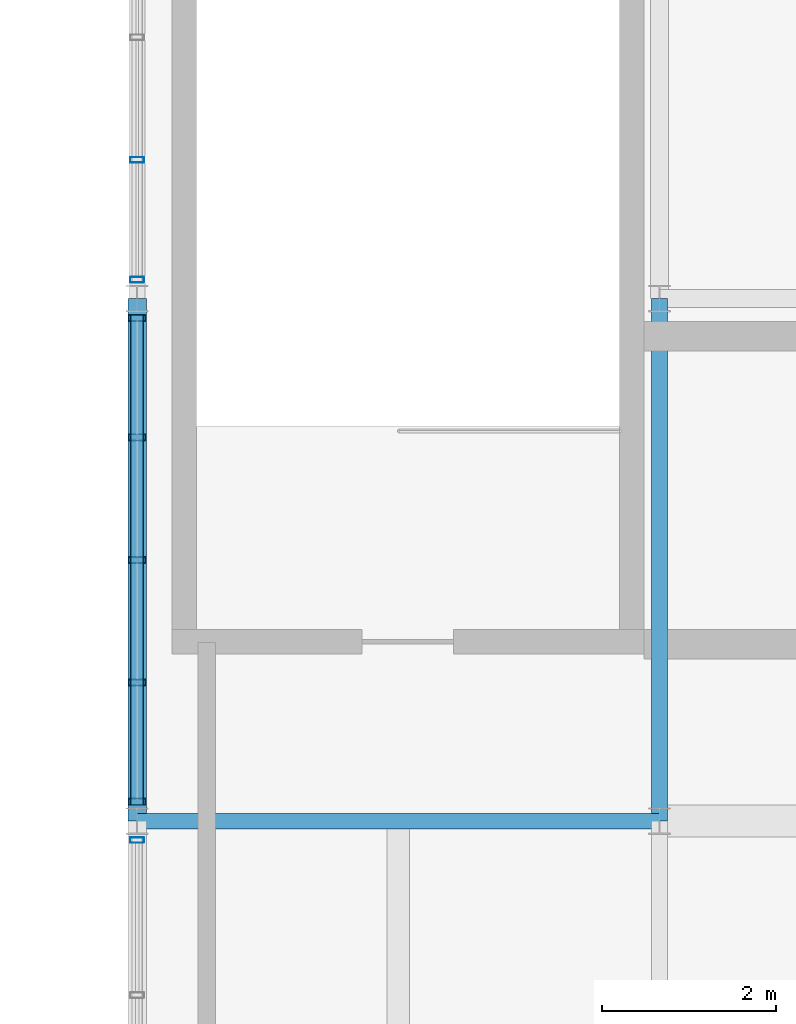
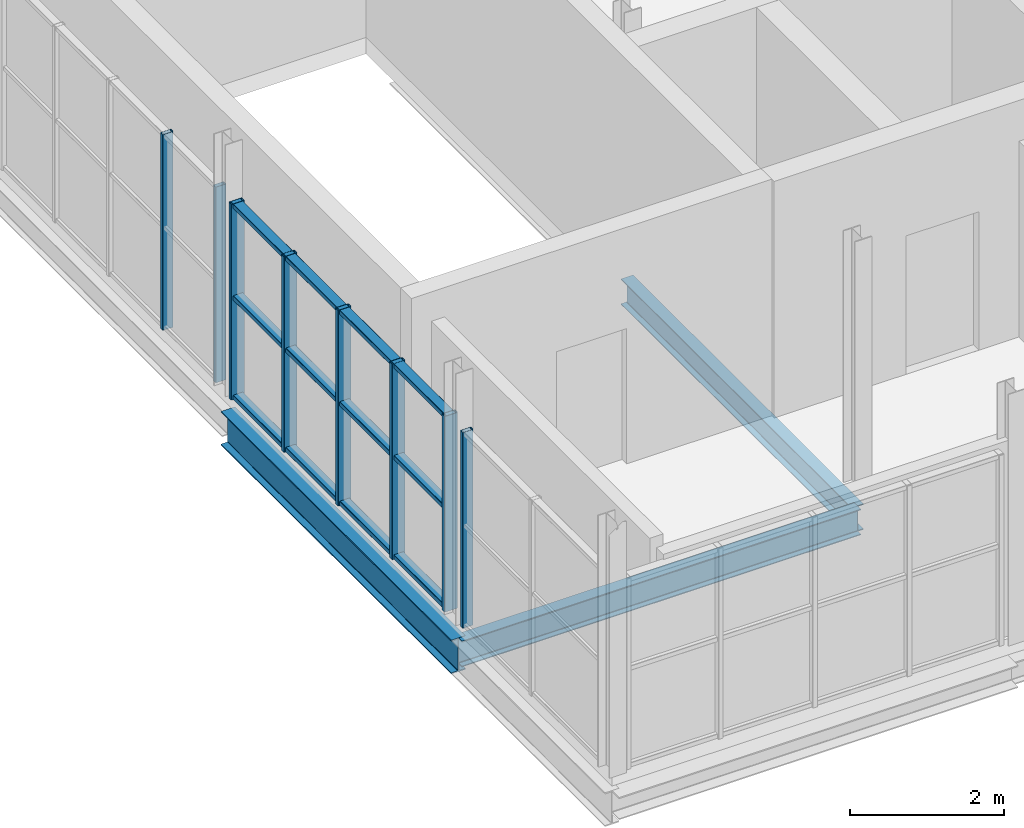
# One storey, part 61 of 96: 11 members, 3 beams, 3 elements without a shape of their own.
"""IFC4 building model written with IfcOpenShell, lengths in metres."""

from ifc_helpers import new_model, si_unit, direction, frame, origin, origin_2d, place, context, subcontext, project, spatial, hollow_rectangle, i_section, extrude, material, material_profile, profile_set, type_object, element, aggregate, save


model = new_model("IFC4")

# Units and contexts
model_context = context("Model", 3, precision=1e-05, world=origin(), true_north=direction((0.0, 1.0)))
body_context = subcontext(model_context, "Body", "Model", "MODEL_VIEW")
ifc_project = project(units=[si_unit("LENGTHUNIT", "METRE"), si_unit("AREAUNIT", "SQUARE_METRE"), si_unit("VOLUMEUNIT", "CUBIC_METRE"), si_unit("PLANEANGLEUNIT", "RADIAN"), si_unit("MASSUNIT", "GRAM", prefix="KILO")], contexts=[model_context])

# Site, building, storey
site_placement = place(None, origin())
site = spatial("IfcSite", under=ifc_project, at=site_placement, CompositionType="ELEMENT")
building_placement = place(site_placement, origin())
building = spatial("IfcBuilding", under=site, at=building_placement, Name="Verrall Gate Interchange", CompositionType="ELEMENT")
storey_placement = place(building_placement, frame((0.0, 0.0, 11.39990234375)))
storey = spatial("IfcBuildingStorey", under=building, at=storey_placement, Name="L03", CompositionType="ELEMENT", Elevation=11.39990234375)

# Beams
ifc_material_1 = material(Name="Structural Steel CSA G40.21 350W", Category="steel")
ifc_material_profile_1 = material_profile(ifc_material_1, i_section(OverallWidth=0.2109375, OverallDepth=0.5390625, WebThickness=0.01171875, FlangeThickness=0.018798828125, FilletRadius=0.013916015625, at=origin_2d()), Name="W530x109")
ifc_profile_set_1 = profile_set([ifc_material_profile_1], Name="Structural Steel CSA G40.21 350W")
beam_type_1 = type_object("IfcBeamType", Name="B-10 Structural Beam W530x109", PredefinedType="BEAM", material=ifc_profile_set_1)
beam_placement = place(storey_placement, frame((132.0, 16.0, -0.599365234375), z_axis=(0.0, 1.0, 0.0), x_axis=(-1.0, 0.0, 0.0)))
element("IfcBeam", 1, at=beam_placement, inside=storey, type_object=beam_type_1, Name="L03 Girder BM-L03-2324 (B-10)", PredefinedType="BEAM", context=body_context, shape_type="SweptSolid", body=[
    extrude(i_section(OverallWidth=0.2109375, OverallDepth=0.5390625, WebThickness=0.01171875, FlangeThickness=0.018798828125, FilletRadius=0.013916015625, at=origin_2d()), origin(), (0.0, 0.0, 1.0), 6.0),
])
ifc_material_2 = material(Name="Structural Steel CSA G40.21 350W", Category="steel")
ifc_material_profile_2 = material_profile(ifc_material_2, i_section(OverallWidth=0.178955078125, OverallDepth=0.409912109375, WebThickness=0.0087890625, FlangeThickness=0.014404296875, FilletRadius=0.011962890625, at=origin_2d()), Name="W410x67")
ifc_profile_set_2 = profile_set([ifc_material_profile_2], Name="Structural Steel CSA G40.21 350W")
beam_type_2 = type_object("IfcBeamType", Name="B-12 Structural Beam W410x67", PredefinedType="BEAM", material=ifc_profile_set_2)
for number, where, z_axis, x_axis, name in (
    (2, (132.0, 16.0, -0.534912109375), (1.0, 0.0, 0.0), (0.0, 1.0, 0.0), "L03 Girder BM-L03-2038 (B-12)"),
    (3, (138.0, 16.0, -0.534912109375), (0.0, 1.0, 0.0), (-1.0, 0.0, 0.0), "L03 Girder BM-L03-2332 (B-12)"),
):
    element("IfcBeam", number, at=place(storey_placement, frame(where, z_axis=z_axis, x_axis=x_axis)), inside=storey, type_object=beam_type_2, Name=name, PredefinedType="BEAM", context=body_context, shape_type="SweptSolid", body=[
        extrude(i_section(OverallWidth=0.178955078125, OverallDepth=0.409912109375, WebThickness=0.0087890625, FlangeThickness=0.014404296875, FilletRadius=0.011962890625, at=origin_2d()), origin(), (0.0, 0.0, 1.0), 6.0),
    ])

# Curtain wall, members
ifc_material_3 = material(Name="Thermally Broken Anodized Aluminium Curtain Wall Framing", Category="aluminium")
curtain_wall_type_1 = type_object("IfcCurtainWallType", Name="CW-36 Unitized Curtain Wall 5559x3110", PredefinedType="NOTDEFINED", material=ifc_material_3)
curtain_wall_1_placement = place(storey_placement, origin())
curtain_wall_1 = element("IfcCurtainWall", 4, at=curtain_wall_1_placement, inside=storey, type_object=curtain_wall_type_1, Name="L03 Unitized Curtain Wall CW-L03-124", PredefinedType="NOTDEFINED")
ifc_material_4 = material(Name="Thermally Broken Anodized Aluminium Curtain Wall Framing", Category="aluminium")
ifc_material_profile_3 = material_profile(ifc_material_4, hollow_rectangle(XDim=0.06494140625, YDim=0.159912109375, WallThickness=0.00390625, InnerFilletRadius=0.00390625, OuterFilletRadius=0.008056640625, at=origin_2d()), Name="CWM160x65x4")
ifc_profile_set_3 = profile_set([ifc_material_profile_3], Name="Thermally Broken Anodized Aluminium Curtain Wall Framing")
member_type_1 = type_object("IfcMemberType", Name="CM-01 Curtain Mullion CWM160x65x4", PredefinedType="MULLION", material=ifc_profile_set_3)
member_1_placement = place(storey_placement, frame((132.0, 23.592529296875, 0.0), z_axis=(0.0, 0.0, 1.0), x_axis=(0.0, -1.0, 0.0)))
member_1 = element("IfcMember", 5, at=member_1_placement, type_object=member_type_1, Name="CW-L03-124 Mullion 4", PredefinedType="MULLION", context=body_context, shape_type="SweptSolid", body=[
    extrude(hollow_rectangle(XDim=0.06494140625, YDim=0.159912109375, WallThickness=0.00390625, InnerFilletRadius=0.00390625, OuterFilletRadius=0.008056640625, at=origin_2d()), origin(), (0.0, 0.0, 1.0), 3.110107421875),
])
member_2_placement = place(storey_placement, frame((132.0, 22.217529296875, 0.0), z_axis=(0.0, 0.0, 1.0), x_axis=(0.0, -1.0, 0.0)))
member_2 = element("IfcMember", 6, at=member_2_placement, type_object=member_type_1, Name="CW-L03-124 Mullion 5", PredefinedType="MULLION", context=body_context, shape_type="SweptSolid", body=[
    extrude(hollow_rectangle(XDim=0.06494140625, YDim=0.159912109375, WallThickness=0.00390625, InnerFilletRadius=0.00390625, OuterFilletRadius=0.008056640625, at=origin_2d()), origin(), (0.0, 0.0, 1.0), 3.110107421875),
])
aggregate(curtain_wall_1, [member_1, member_2])

# Curtain wall, member
ifc_material_5 = material(Name="Thermally Broken Anodized Aluminium Curtain Wall Framing", Category="aluminium")
curtain_wall_type_2 = type_object("IfcCurtainWallType", Name="CW-17 Unitized Curtain Wall 3631x3100", PredefinedType="NOTDEFINED", material=ifc_material_5)
curtain_wall_2_placement = place(storey_placement, origin())
curtain_wall_2 = element("IfcCurtainWall", 7, at=curtain_wall_2_placement, inside=storey, type_object=curtain_wall_type_2, Name="L03 Unitized Curtain Wall CW-L03-126", PredefinedType="NOTDEFINED")
member_3_placement = place(storey_placement, frame((132.0, 15.782470703125, 0.0), z_axis=(0.0, 0.0, 1.0), x_axis=(0.0, -1.0, 0.0)))
member_3 = element("IfcMember", 8, at=member_3_placement, type_object=member_type_1, Name="CW-L03-126 Mullion 1", PredefinedType="MULLION", context=body_context, shape_type="SweptSolid", body=[
    extrude(hollow_rectangle(XDim=0.06494140625, YDim=0.159912109375, WallThickness=0.00390625, InnerFilletRadius=0.00390625, OuterFilletRadius=0.008056640625, at=origin_2d()), origin(), (0.0, 0.0, 1.0), 3.110107421875),
])
aggregate(curtain_wall_2, [member_3])

# Curtain wall, members
curtain_wall_3_placement = place(storey_placement, origin())
curtain_wall_3 = element("IfcCurtainWall", 9, at=curtain_wall_3_placement, inside=storey, type_object=curtain_wall_type_1, Name="L03 Unitized Curtain Wall CW-L03-125", PredefinedType="NOTDEFINED")
ifc_material_6 = material(Name="Thermally Broken Anodized Aluminium Curtain Wall Framing", Category="aluminium")
ifc_material_profile_4 = material_profile(ifc_material_6, hollow_rectangle(XDim=0.074951171875, YDim=0.199951171875, WallThickness=0.0048828125, InnerFilletRadius=0.0048828125, OuterFilletRadius=0.010009765625, at=origin_2d()), Name="CWM200x75x5")
ifc_profile_set_4 = profile_set([ifc_material_profile_4], Name="Thermally Broken Anodized Aluminium Curtain Wall Framing")
member_type_2 = type_object("IfcMemberType", Name="CM-02 Curtain Mullion CWM200x75x5", PredefinedType="MULLION", material=ifc_profile_set_4)
member_4_placement = place(storey_placement, frame((132.0, 21.777587890625, 0.0), z_axis=(0.0, 0.0, 1.0), x_axis=(0.0, -1.0, 0.0)))
member_4 = element("IfcMember", 10, at=member_4_placement, type_object=member_type_2, Name="CW-L03-125 Mullion 1", PredefinedType="MULLION", context=body_context, shape_type="SweptSolid", body=[
    extrude(hollow_rectangle(XDim=0.074951171875, YDim=0.199951171875, WallThickness=0.0048828125, InnerFilletRadius=0.0048828125, OuterFilletRadius=0.010009765625, at=origin_2d()), origin(), (0.0, 0.0, 1.0), 3.110107421875),
])
member_5_placement = place(storey_placement, frame((132.0, 20.407470703125, 0.0), z_axis=(0.0, 0.0, 1.0), x_axis=(0.0, -1.0, 0.0)))
member_5 = element("IfcMember", 11, at=member_5_placement, type_object=member_type_2, Name="CW-L03-125 Mullion 2", PredefinedType="MULLION", context=body_context, shape_type="SweptSolid", body=[
    extrude(hollow_rectangle(XDim=0.074951171875, YDim=0.199951171875, WallThickness=0.0048828125, InnerFilletRadius=0.0048828125, OuterFilletRadius=0.010009765625, at=origin_2d()), origin(), (0.0, 0.0, 1.0), 3.110107421875),
])
member_6_placement = place(storey_placement, frame((132.0, 19.0, 0.0), z_axis=(0.0, 0.0, 1.0), x_axis=(0.0, -1.0, 0.0)))
member_6 = element("IfcMember", 12, at=member_6_placement, type_object=member_type_2, Name="CW-L03-125 Mullion 3", PredefinedType="MULLION", context=body_context, shape_type="SweptSolid", body=[
    extrude(hollow_rectangle(XDim=0.074951171875, YDim=0.199951171875, WallThickness=0.0048828125, InnerFilletRadius=0.0048828125, OuterFilletRadius=0.010009765625, at=origin_2d()), origin(), (0.0, 0.0, 1.0), 3.110107421875),
])
member_7_placement = place(storey_placement, frame((132.0, 17.592529296875, 0.0), z_axis=(0.0, 0.0, 1.0), x_axis=(0.0, -1.0, 0.0)))
member_7 = element("IfcMember", 13, at=member_7_placement, type_object=member_type_2, Name="CW-L03-125 Mullion 4", PredefinedType="MULLION", context=body_context, shape_type="SweptSolid", body=[
    extrude(hollow_rectangle(XDim=0.074951171875, YDim=0.199951171875, WallThickness=0.0048828125, InnerFilletRadius=0.0048828125, OuterFilletRadius=0.010009765625, at=origin_2d()), origin(), (0.0, 0.0, 1.0), 3.110107421875),
])
member_8_placement = place(storey_placement, frame((132.0, 16.222412109375, 0.0), z_axis=(0.0, 0.0, 1.0), x_axis=(0.0, -1.0, 0.0)))
member_8 = element("IfcMember", 14, at=member_8_placement, type_object=member_type_2, Name="CW-L03-125 Mullion 5", PredefinedType="MULLION", context=body_context, shape_type="SweptSolid", body=[
    extrude(hollow_rectangle(XDim=0.074951171875, YDim=0.199951171875, WallThickness=0.0048828125, InnerFilletRadius=0.0048828125, OuterFilletRadius=0.010009765625, at=origin_2d()), origin(), (0.0, 0.0, 1.0), 3.110107421875),
])
ifc_material_7 = material(Name="Thermally Broken Anodized Aluminium Curtain Wall Framing", Category="aluminium")
ifc_material_profile_5 = material_profile(ifc_material_7, hollow_rectangle(XDim=0.14990234375, YDim=0.074951171875, WallThickness=0.00439453125, InnerFilletRadius=0.00439453125, OuterFilletRadius=0.009033203125, at=origin_2d()), Name="CWT150x75x4.5")
ifc_profile_set_5 = profile_set([ifc_material_profile_5], Name="Thermally Broken Anodized Aluminium Curtain Wall Framing")
member_type_3 = type_object("IfcMemberType", Name="CT-02 Curtain Transom CWT150x75x4.5", PredefinedType="USERDEFINED", material=ifc_profile_set_5)
member_9_placement = place(storey_placement, frame((132.0, 21.81494140625, 0.03759765625), z_axis=(0.0, -1.0, 0.0), x_axis=(1.0, 0.0, 0.0)))
member_9 = element("IfcMember", 15, at=member_9_placement, type_object=member_type_3, Name="CW-L03-125 Transom 1", ObjectType="TRANSOM", PredefinedType="USERDEFINED", context=body_context, shape_type="SweptSolid", body=[
    extrude(hollow_rectangle(XDim=0.14990234375, YDim=0.074951171875, WallThickness=0.00439453125, InnerFilletRadius=0.00439453125, OuterFilletRadius=0.009033203125, at=origin_2d()), origin(), (0.0, 0.0, 1.0), 5.6298828125),
])
member_10_placement = place(storey_placement, frame((132.0, 21.81494140625, 1.6171875), z_axis=(0.0, -1.0, 0.0), x_axis=(1.0, 0.0, 0.0)))
member_10 = element("IfcMember", 16, at=member_10_placement, type_object=member_type_3, Name="CW-L03-125 Transom 2", ObjectType="TRANSOM", PredefinedType="USERDEFINED", context=body_context, shape_type="SweptSolid", body=[
    extrude(hollow_rectangle(XDim=0.14990234375, YDim=0.074951171875, WallThickness=0.00439453125, InnerFilletRadius=0.00439453125, OuterFilletRadius=0.009033203125, at=origin_2d()), origin(), (0.0, 0.0, 1.0), 5.6298828125),
])
member_11_placement = place(storey_placement, frame((132.0, 21.81494140625, 3.072509765625), z_axis=(0.0, -1.0, 0.0), x_axis=(1.0, 0.0, 0.0)))
member_11 = element("IfcMember", 17, at=member_11_placement, type_object=member_type_3, Name="CW-L03-125 Transom 3", ObjectType="TRANSOM", PredefinedType="USERDEFINED", context=body_context, shape_type="SweptSolid", body=[
    extrude(hollow_rectangle(XDim=0.14990234375, YDim=0.074951171875, WallThickness=0.00439453125, InnerFilletRadius=0.00439453125, OuterFilletRadius=0.009033203125, at=origin_2d()), origin(), (0.0, 0.0, 1.0), 5.6298828125),
])
aggregate(curtain_wall_3, [member_4, member_5, member_6, member_7, member_8, member_9, member_10, member_11])

save(model, "model.ifc")
